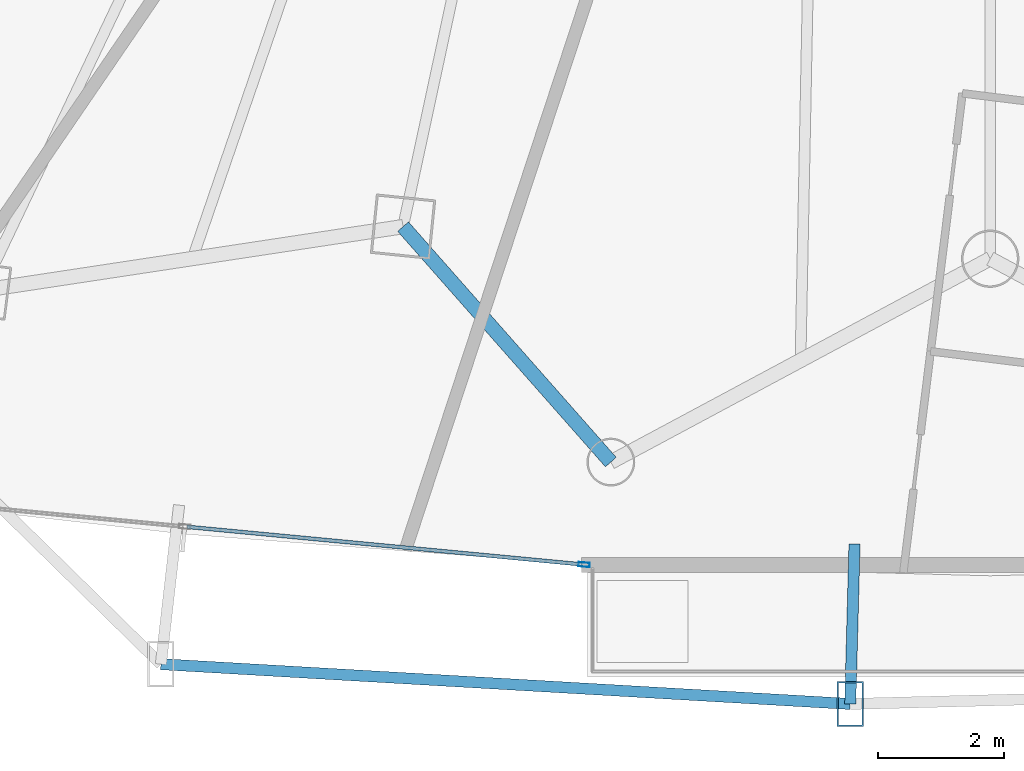
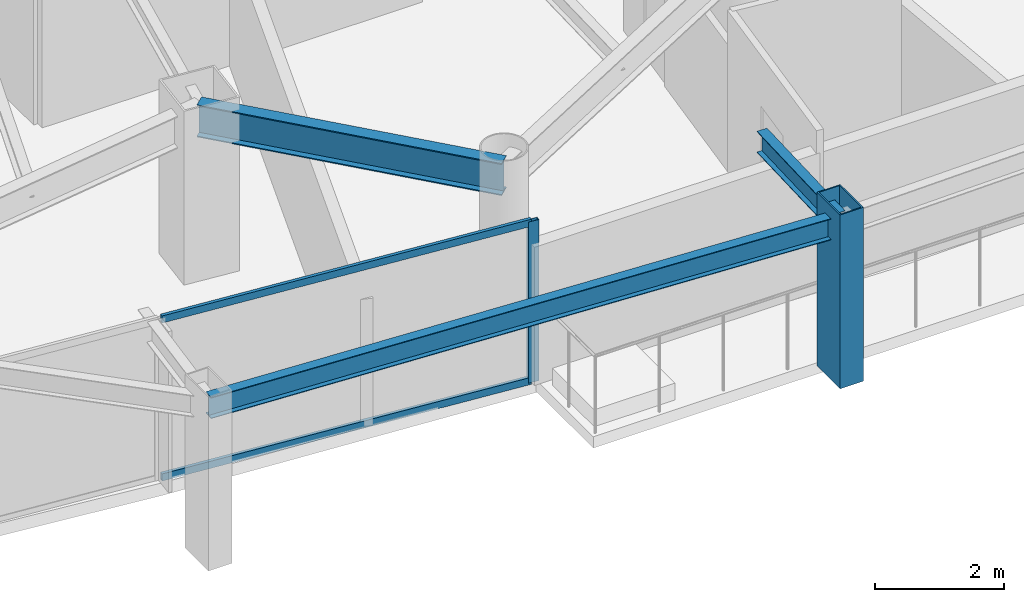
# One storey, part 6 of 34: 4 members, 3 beams, 1 element without a shape of its own.
"""IFC4 building model written with IfcOpenShell, lengths in metres."""

from ifc_helpers import new_model, si_unit, direction, frame, origin, origin_2d, place, context, subcontext, project, spatial, hollow_rectangle, i_section, extrude, material, layer, layer_set, material_profile, profile_set, type_object, element, aggregate, save


model = new_model("IFC4")

# Units and contexts
model_context = context("Model", 3, precision=1e-05, world=origin(), true_north=direction((0.0, 1.0)))
body_context = subcontext(model_context, "Body", "Model", "MODEL_VIEW")
ifc_project = project(units=[si_unit("LENGTHUNIT", "METRE"), si_unit("AREAUNIT", "SQUARE_METRE"), si_unit("VOLUMEUNIT", "CUBIC_METRE"), si_unit("PLANEANGLEUNIT", "RADIAN"), si_unit("MASSUNIT", "GRAM", prefix="KILO")], contexts=[model_context])

# Site, building, storey
site_placement = place(None, origin())
site = spatial("IfcSite", under=ifc_project, at=site_placement, CompositionType="ELEMENT")
building_placement = place(site_placement, origin())
building = spatial("IfcBuilding", under=site, at=building_placement, Name="Orvanel Arch Residences", CompositionType="ELEMENT")
storey_placement = place(building_placement, frame((0.0, 0.0, 67.550048828125)))
storey = spatial("IfcBuildingStorey", under=building, at=storey_placement, Name="L18", CompositionType="ELEMENT", Elevation=67.550048828125)

# Member
ifc_material_1 = material(Name="Structural steel AS/NZS 3678 Grade 350", Category="steel")
ifc_material_profile_1 = material_profile(ifc_material_1, hollow_rectangle(XDim=0.419921875, YDim=0.719970703125, WallThickness=0.02490234375, at=origin_2d()), Name="RHS720x420x25")
ifc_profile_set_1 = profile_set([ifc_material_profile_1], Name="Structural steel AS/NZS 3678 Grade 350")
member_type_1 = type_object("IfcMemberType", Name="CH-720RHS-EXT", PredefinedType="CHORD", material=ifc_profile_set_1)
member_1_placement = place(storey_placement, frame((30.77099609375, -0.2470703125, 0.0), z_axis=(0.0, 0.0, 1.0), x_axis=(1.0, 0.0, 0.0)))
element("IfcMember", 1, at=member_1_placement, inside=storey, type_object=member_type_1, Name="L18 Outer Perimeter Frame Post 06", PredefinedType="CHORD", context=body_context, shape_type="SweptSolid", body=[
    extrude(hollow_rectangle(XDim=0.419921875, YDim=0.719970703125, WallThickness=0.02490234375, at=origin_2d()), origin(), (0.0, 0.0, 1.0), 3.300048828125),
])

# Curtain wall, member
ifc_material_2 = material(Name="Bronze-anodised aluminium AA6063-T6", Category="aluminium")
ifc_layer = layer(ifc_material_2, 0.179931640625)
ifc_layer_set = layer_set([ifc_layer], Name="Bronze-anodised aluminium AA6063-T6")
curtain_wall_type = type_object("IfcCurtainWallType", Name="CW2-LOW-SYS", PredefinedType="NOTDEFINED", material=ifc_layer_set)
curtain_wall_placement = place(storey_placement, origin())
curtain_wall = element("IfcCurtainWall", 2, at=curtain_wall_placement, inside=storey, type_object=curtain_wall_type, Name="L18 CW2-LOW-SYS Unitised Curtain Wall", PredefinedType="NOTDEFINED")
ifc_material_profile_2 = material_profile(ifc_material_2, hollow_rectangle(XDim=0.070068359375, YDim=0.179931640625, WallThickness=0.00439453125, at=origin_2d()), Name="ALU180x70x4.5")
ifc_profile_set_2 = profile_set([ifc_material_profile_2], Name="Bronze-anodised aluminium AA6063-T6")
member_type_2 = type_object("IfcMemberType", Name="MUL-180x70", PredefinedType="MULLION", material=ifc_profile_set_2)
member_2_placement = place(storey_placement, frame((26.5322265625, 1.971435546875, 0.0), z_axis=(0.0, 0.0, 1.0), x_axis=(0.094831137816, 0.995493372806, 0.0)))
member_2 = element("IfcMember", 3, at=member_2_placement, type_object=member_type_2, Name="CW-S2 mullion 3", PredefinedType="MULLION", context=body_context, shape_type="SweptSolid", body=[
    extrude(hollow_rectangle(XDim=0.070068359375, YDim=0.179931640625, WallThickness=0.00439453125, at=origin_2d()), origin(), (0.0, 0.0, 1.0), 3.06005859375),
])

# Beams
ifc_material_3 = material(Name="Structural steel AS/NZS 3679.1 Grade 300 (300 MPa)", Category="steel")
ifc_material_profile_3 = material_profile(ifc_material_3, i_section(OverallWidth=0.177978515625, OverallDepth=0.406005859375, WebThickness=0.0078125, FlangeThickness=0.0126953125, at=origin_2d()), Name="410UB59.7")
ifc_profile_set_3 = profile_set([ifc_material_profile_3], Name="Structural steel AS/NZS 3679.1 Grade 300 (300 MPa)")
beam_type_1 = type_object("IfcBeamType", Name="OB-410UB-EXT", PredefinedType="SPANDREL", material=ifc_profile_set_3)
beam_1_placement = place(storey_placement, frame((19.7919921875, 0.385986328125, 2.85693359375), z_axis=(0.99834175778, -0.057565047319, 0.0), x_axis=(0.057565047319, 0.99834175778, 0.0)))
element("IfcBeam", 4, at=beam_1_placement, inside=storey, type_object=beam_type_1, Name="L18 Outer Perimeter Floor Ring Beam 05", PredefinedType="SPANDREL", context=body_context, shape_type="SweptSolid", body=[
    extrude(i_section(OverallWidth=0.177978515625, OverallDepth=0.406005859375, WebThickness=0.0078125, FlangeThickness=0.0126953125, at=origin_2d()), origin(), (0.0, 0.0, 1.0), 10.997314453125),
])
beam_2_placement = place(storey_placement, frame((30.839111328125, 2.302001953125, 2.85693359375), z_axis=(-0.026712043324, -0.999643169707, 0.0), x_axis=(0.999643169707, -0.026712043324, 0.0)))
element("IfcBeam", 5, at=beam_2_placement, inside=storey, type_object=beam_type_1, Name="L18 Outer Frame Radial Tie Beam 06", PredefinedType="SPANDREL", context=body_context, shape_type="SweptSolid", body=[
    extrude(i_section(OverallWidth=0.177978515625, OverallDepth=0.406005859375, WebThickness=0.0078125, FlangeThickness=0.0126953125, at=origin_2d()), origin(), (0.0, 0.0, 1.0), 2.550048828125),
])
ifc_material_profile_4 = material_profile(ifc_material_3, i_section(OverallWidth=0.22900390625, OverallDepth=0.612060546875, WebThickness=0.011962890625, FlangeThickness=0.01953125, at=origin_2d()), Name="610UB125")
ifc_profile_set_4 = profile_set([ifc_material_profile_4], Name="Structural steel AS/NZS 3679.1 Grade 300 (300 MPa)")
beam_type_2 = type_object("IfcBeamType", Name="SP-610UB", PredefinedType="SPANDREL", material=ifc_profile_set_4)
beam_3_placement = place(storey_placement, frame((23.64892578125, 7.35498046875, 2.75390625), z_axis=(0.661650698195, -0.749812212209, 0.0), x_axis=(0.749812212209, 0.661650698195, 0.0)))
element("IfcBeam", 6, at=beam_3_placement, inside=storey, type_object=beam_type_2, Name="L18 Perimeter Spandrel Beam 05", PredefinedType="SPANDREL", context=body_context, shape_type="SweptSolid", body=[
    extrude(i_section(OverallWidth=0.22900390625, OverallDepth=0.612060546875, WebThickness=0.011962890625, FlangeThickness=0.01953125, at=origin_2d()), origin(), (0.0, 0.0, 1.0), 5.001220703125),
])

# Member
ifc_material_profile_5 = material_profile(ifc_material_2, hollow_rectangle(XDim=0.06005859375, YDim=0.135009765625, WallThickness=0.00390625, at=origin_2d()), Name="ALU135x60x4")
ifc_profile_set_5 = profile_set([ifc_material_profile_5], Name="Bronze-anodised aluminium AA6063-T6")
member_type_3 = type_object("IfcMemberType", Name="TRN-135x60", PredefinedType="USERDEFINED", material=ifc_profile_set_5)
member_3_placement = place(storey_placement, frame((20.208740234375, 2.57373046875, 0.030029296875), z_axis=(0.995492345482, -0.09484192157, 0.0), x_axis=(0.09484192157, 0.995492345482, 0.0)))
member_3 = element("IfcMember", 7, at=member_3_placement, type_object=member_type_3, Name="CW-S2 transom 2.1", ObjectType="TRANSOM", PredefinedType="USERDEFINED", context=body_context, shape_type="SweptSolid", body=[
    extrude(hollow_rectangle(XDim=0.06005859375, YDim=0.135009765625, WallThickness=0.00390625, at=origin_2d()), origin(), (0.0, 0.0, 1.0), 6.317138671875),
])

member_4_placement = place(storey_placement, frame((20.208740234375, 2.57373046875, 3.030029296875), z_axis=(0.995492345482, -0.09484192157, 0.0), x_axis=(0.09484192157, 0.995492345482, 0.0)))
member_4 = element("IfcMember", 8, at=member_4_placement, type_object=member_type_3, Name="CW-S2 transom 2.2", ObjectType="TRANSOM", PredefinedType="USERDEFINED", context=body_context, shape_type="SweptSolid", body=[
    extrude(hollow_rectangle(XDim=0.06005859375, YDim=0.135009765625, WallThickness=0.00390625, at=origin_2d()), origin(), (0.0, 0.0, 1.0), 6.317138671875),
])

aggregate(curtain_wall, [member_2, member_3, member_4])

save(model, "model.ifc")
